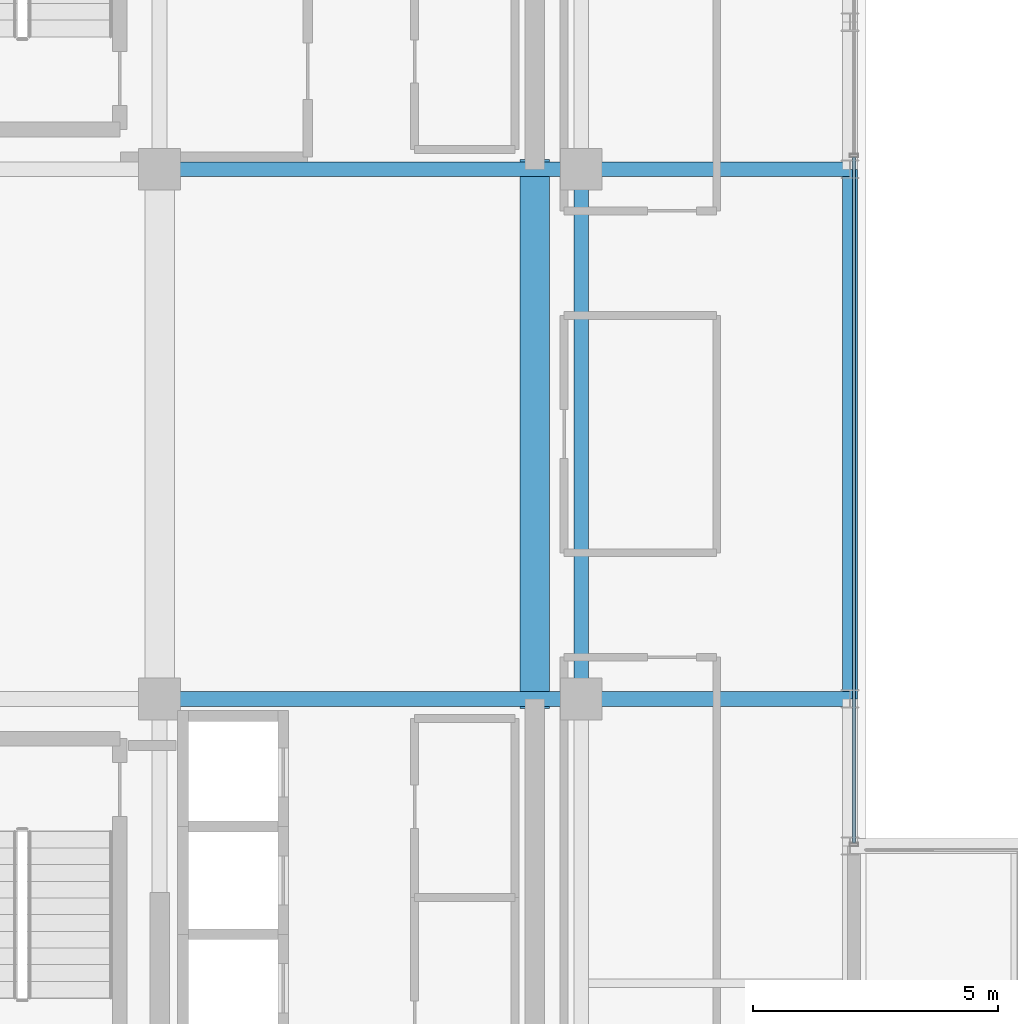
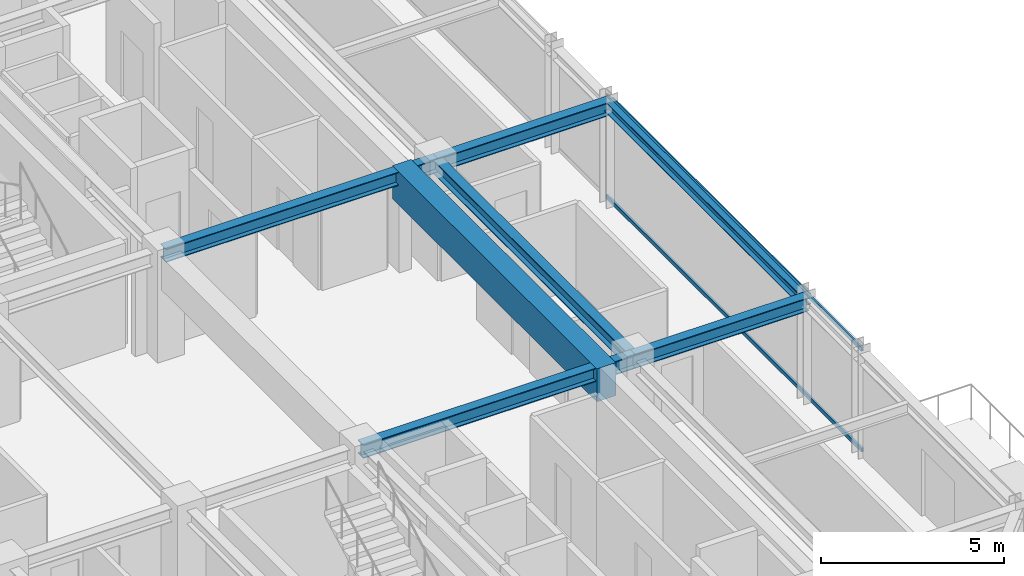
# One storey, part 14 of 31: 7 beams, 2 members, 1 element without a shape of its own.
"""IFC4 building model written with IfcOpenShell, lengths in metres."""

import ifcopenshell
import ifcopenshell.guid

model = None  # the IFC model being written
_history = None  # IfcOwnerHistory: only IFC2X3 demands one
_inside = {}  # id of a spatial element -> (the spatial element, [elements in it])
_under = {}  # id of a project, library or spatial element -> (it, [spatial elements below it])
_declared = {}  # id of a project -> (the project, [libraries it declares])
_typed = {}  # id of a type object -> (the type object, [elements of that type])
_made_of = {}  # id of a material, layer set ... -> (it, [elements and type objects made of it])


def new_model(schema):
    """Start an empty IFC model of exactly this schema.

    Asked for "IFC4X3", IfcOpenShell would pick the latest addendum, in which some entities
    have other attributes; the version numbers below select the first issue.
    IFC2X3 requires an IfcOwnerHistory on every rooted entity: one is made here for all.
    """
    global model, _history
    if schema == "IFC4X3":
        model = ifcopenshell.file(schema_version=(4, 3, 0, 0))
    else:
        model = ifcopenshell.file(schema=schema)
    _inside.clear()
    _under.clear()
    _declared.clear()
    _typed.clear()
    _made_of.clear()
    _history = None
    if model.schema == "IFC2X3":
        org = make("IfcOrganization", Name="unknown")
        user = make(
            "IfcPersonAndOrganization",
            ThePerson=make("IfcPerson", FamilyName="unknown"),
            TheOrganization=org,
        )
        app = make(
            "IfcApplication",
            ApplicationDeveloper=org,
            Version="unknown",
            ApplicationFullName="unknown",
            ApplicationIdentifier="unknown",
        )
        _history = make(
            "IfcOwnerHistory",
            OwningUser=user,
            OwningApplication=app,
            ChangeAction="ADDED",
            CreationDate=0,
        )
    return model


def make(cls, **values):
    """One entity of the class cls with the attributes given. An attribute that is None is left unset."""
    return model.create_entity(
        cls, **{name: value for name, value in values.items() if value is not None}
    )


def rooted(cls, **values):
    """An entity with a GlobalId (a new one), such as an element, a storey or a relation."""
    return make(cls, GlobalId=ifcopenshell.guid.new(), OwnerHistory=_history, **values)


def si_unit(unit_type, name, prefix=None):
    """IfcSIUnit, for example si_unit("LENGTHUNIT", "METRE", prefix="MILLI")."""
    return make("IfcSIUnit", UnitType=unit_type, Prefix=prefix, Name=name)


def assignment(units):
    """IfcUnitAssignment: the units of a project."""
    return None if units is None else make("IfcUnitAssignment", Units=units)


def point(xyz):
    """IfcCartesianPoint."""
    return None if xyz is None else make("IfcCartesianPoint", Coordinates=xyz)


def direction(xyz):
    """IfcDirection."""
    return None if xyz is None else make("IfcDirection", DirectionRatios=xyz)


def frame(location, z_axis=None, x_axis=None):
    """IfcAxis2Placement3D, a coordinate frame: its origin and axes. An axis left out is left unset."""
    return make(
        "IfcAxis2Placement3D",
        Location=point(location),
        Axis=direction(z_axis),
        RefDirection=direction(x_axis),
    )


def frame_2d(location, x_axis=None):
    """IfcAxis2Placement2D, a coordinate frame in the plane: its origin and x axis."""
    return make(
        "IfcAxis2Placement2D", Location=point(location), RefDirection=direction(x_axis)
    )


def origin():
    """The frame at (0, 0, 0) with its axes left unset."""
    return frame((0.0, 0.0, 0.0))


def origin_2d():
    """The frame at (0, 0) in the plane with its x axis left unset."""
    return frame_2d((0.0, 0.0))


def place(relative_to, where):
    """IfcLocalPlacement: puts the frame where relative to a parent placement (None: the world)."""
    return make(
        "IfcLocalPlacement", PlacementRelTo=relative_to, RelativePlacement=where
    )


def context(
    kind, dimensions, precision=None, world=None, true_north=None, identifier=None
):
    """IfcGeometricRepresentationContext, for example the 3D "Model" context."""
    return make(
        "IfcGeometricRepresentationContext",
        ContextIdentifier=identifier,
        ContextType=kind,
        CoordinateSpaceDimension=dimensions,
        Precision=precision,
        WorldCoordinateSystem=world,
        TrueNorth=true_north,
    )


def subcontext(parent, identifier, kind, view, scale=None):
    """IfcGeometricRepresentationSubContext, for example "Body" below "Model"."""
    return make(
        "IfcGeometricRepresentationSubContext",
        ContextIdentifier=identifier,
        ContextType=kind,
        ParentContext=parent,
        TargetScale=scale,
        TargetView=view,
    )


def project(units=None, contexts=None):
    """IfcProject with its units and contexts."""
    return rooted(
        "IfcProject",
        Name="project",
        RepresentationContexts=contexts,
        UnitsInContext=assignment(units),
    )


def spatial(cls, under=None, at=None, **own):
    """A site, building, storey or space (cls), placed at a placement, below another one or the project."""
    s = rooted(cls, ObjectPlacement=at, **own)
    if under is not None:
        _under.setdefault(under.id(), (under, []))[1].append(s)
    return s


def profile(cls, at=None, kind="AREA", **sizes):
    """A parametric profile (cls). Its sizes go by their IFC names, for example OverallWidth=200.0."""
    return make(cls, ProfileType=kind, Position=at, **sizes)


def rectangle(**sizes):
    """IfcRectangleProfileDef."""
    return profile("IfcRectangleProfileDef", **sizes)


def hollow_rectangle(**sizes):
    """IfcRectangleHollowProfileDef."""
    return profile("IfcRectangleHollowProfileDef", **sizes)


def i_section(**sizes):
    """IfcIShapeProfileDef."""
    return profile("IfcIShapeProfileDef", **sizes)


def extrude(swept, where, along, depth):
    """IfcExtrudedAreaSolid: the profile swept, set in the frame where, extruded along a direction by depth."""
    return make(
        "IfcExtrudedAreaSolid",
        SweptArea=swept,
        Position=where,
        ExtrudedDirection=direction(along),
        Depth=depth,
    )


def shape(context_of_items, identifier, shape_type, items):
    """IfcShapeRepresentation: the items that make up one representation, for example the "Body"."""
    return make(
        "IfcShapeRepresentation",
        ContextOfItems=context_of_items,
        RepresentationIdentifier=identifier,
        RepresentationType=shape_type,
        Items=items,
    )


def source(mapping_origin, context_of_items, identifier, shape_type, items):
    """IfcRepresentationMap: a shape defined once, which mapped items show again and again."""
    return make(
        "IfcRepresentationMap",
        MappingOrigin=mapping_origin,
        MappedRepresentation=shape(context_of_items, identifier, shape_type, items),
    )


def transform(
    local_origin,
    x_axis=None,
    y_axis=None,
    z_axis=None,
    scale=None,
    scale2=None,
    scale3=None,
    uniform=True,
):
    """IfcCartesianTransformationOperator3D, or its non-uniform kind. x_axis, y_axis, z_axis: its Axis1, 2, 3."""
    if uniform:
        return make(
            "IfcCartesianTransformationOperator3D",
            Axis1=direction(x_axis),
            Axis2=direction(y_axis),
            LocalOrigin=point(local_origin),
            Scale=scale,
            Axis3=direction(z_axis),
        )
    return make(
        "IfcCartesianTransformationOperator3DnonUniform",
        Axis1=direction(x_axis),
        Axis2=direction(y_axis),
        LocalOrigin=point(local_origin),
        Scale=scale,
        Axis3=direction(z_axis),
        Scale2=scale2,
        Scale3=scale3,
    )


def mapped(mapping_source, mapping_target):
    """IfcMappedItem: shows the shape of a source again, moved by a transform."""
    return make(
        "IfcMappedItem", MappingSource=mapping_source, MappingTarget=mapping_target
    )


def material(Name=None, Category=None):
    """IfcMaterial."""
    return make("IfcMaterial", Name=Name, Category=Category)


def material_profile(
    of_material, cross_section, Name=None, Category=None, Priority=None
):
    """IfcMaterialProfile: a cross section and its material."""
    return make(
        "IfcMaterialProfile",
        Name=Name,
        Material=of_material,
        Profile=cross_section,
        Priority=Priority,
        Category=Category,
    )


def profile_set(profiles, Name=None, composite=None):
    """IfcMaterialProfileSet."""
    return make(
        "IfcMaterialProfileSet",
        Name=Name,
        MaterialProfiles=profiles,
        CompositeProfile=composite,
    )


def made_of(thing, what):
    """Note that an element or type object is made of a material, layer set ...; save() writes the relation."""
    if what is not None:
        _made_of.setdefault(what.id(), (what, []))[1].append(thing)
    return thing


def type_object(cls, material=None, **own):
    """A type object (cls), such as IfcWallType, which elements share."""
    return made_of(rooted(cls, **own), material)


def element(
    cls,
    number,
    at=None,
    inside=None,
    cuts=None,
    type_object=None,
    material=None,
    context=None,
    identifier="Body",
    shape_type=None,
    held_by="IfcProductDefinitionShape",
    body=None,
    shapes=None,
    **own,
):
    """One element of the class cls, such as IfcWall. Its Tag is "e" and its number.

    at: its placement. inside: the storey or other place that contains it. cuts: it is an
    opening in that element (IfcRelVoidsElement). A single representation is given by context,
    identifier, shape_type and body (its items); several are given by shapes. held_by: the class
    of the entity that holds the representations. save() writes the other relations.
    """
    e = rooted(cls, Tag="e%d" % number, ObjectPlacement=at, **own)
    if body is not None:
        shapes = [shape(context, identifier, shape_type, body)]
    if shapes is not None:
        e.Representation = make(held_by, Representations=shapes)
    if inside is not None:
        _inside.setdefault(inside.id(), (inside, []))[1].append(e)
    if cuts is not None:
        rooted(
            "IfcRelVoidsElement", RelatingBuildingElement=cuts, RelatedOpeningElement=e
        )
    if type_object is not None:
        _typed.setdefault(type_object.id(), (type_object, []))[1].append(e)
    return made_of(e, material)


def aggregate(whole, parts):
    """IfcRelAggregates: a whole, such as a stair, and the parts it consists of."""
    return rooted("IfcRelAggregates", RelatingObject=whole, RelatedObjects=parts)


def save(model, path):
    """Write the relations noted so far, then the file.

    IfcRelAggregates (storeys below a building ...), IfcRelContainedInSpatialStructure (elements
    in a storey), IfcRelDefinesByType, IfcRelAssociatesMaterial and IfcRelDeclares: one each for
    every whole, place, type object, material and project.
    """
    for whole, parts in _under.values():
        aggregate(whole, parts)
    for where, things in _inside.values():
        rooted(
            "IfcRelContainedInSpatialStructure",
            RelatedElements=things,
            RelatingStructure=where,
        )
    for kind, things in _typed.values():
        rooted("IfcRelDefinesByType", RelatedObjects=things, RelatingType=kind)
    for what, things in _made_of.values():
        rooted("IfcRelAssociatesMaterial", RelatedObjects=things, RelatingMaterial=what)
    for by, libraries in _declared.values():
        rooted("IfcRelDeclares", RelatingContext=by, RelatedDefinitions=libraries)
    model.write(path)


model = new_model("IFC4")

# Units and contexts
model_context = context("Model", 3, precision=1e-05, world=origin(), true_north=direction((0.0, 1.0)))
body_context = subcontext(model_context, "Body", "Model", "MODEL_VIEW")
ifc_project = project(units=[si_unit("LENGTHUNIT", "METRE"), si_unit("AREAUNIT", "SQUARE_METRE"), si_unit("VOLUMEUNIT", "CUBIC_METRE"), si_unit("PLANEANGLEUNIT", "RADIAN"), si_unit("MASSUNIT", "GRAM", prefix="KILO")], contexts=[model_context])

# Site, building, storey
site_placement = place(None, origin())
site = spatial("IfcSite", under=ifc_project, at=site_placement, CompositionType="ELEMENT")
building_placement = place(site_placement, origin())
building = spatial("IfcBuilding", under=site, at=building_placement, Name="Nahalor Promenade Grand Hotel", CompositionType="ELEMENT")
storey_placement = place(building_placement, frame((0.0, 0.0, 327.14990234375)))
storey = spatial("IfcBuildingStorey", under=building, at=storey_placement, Name="L84", CompositionType="ELEMENT", Elevation=327.14990234375)

# Beams
ifc_material_1 = material(Name="Concrete B-60 (C50/60)", Category="concrete")
ifc_material_profile_1 = material_profile(ifc_material_1, rectangle(XDim=0.6, YDim=1.1, at=origin_2d()), Name="RC 600x1100")
ifc_profile_set_1 = profile_set([ifc_material_profile_1], Name="Concrete B-60 (C50/60)")
beam_type_1 = type_object("IfcBeamType", Name="Beam-Lintel-RC1100", PredefinedType="LINTEL", material=ifc_profile_set_1)
shared_shape_1 = source(origin(), body_context, "Body", "SweptSolid", [
    extrude(rectangle(XDim=0.6, YDim=1.1, at=origin_2d()), origin(), (0.0, 0.0, 1.0), 11.2001953125),
])
beam_1_placement = place(storey_placement, frame((16.050048828125, -5.60009765625, 2.9501953125), z_axis=(0.0, 1.0, 0.0), x_axis=(-1.0, 0.0, 0.0)))
element("IfcBeam", 1, at=beam_1_placement, inside=storey, type_object=beam_type_1, Name="BM-L84-LINT-E", PredefinedType="LINTEL", context=body_context, shape_type="MappedRepresentation", body=[
    mapped(shared_shape_1, transform((0.0, 0.0, 0.0), scale=1.0)),
])
ifc_material_2 = material(Name="Steel S355JR", Category="steel")
ifc_material_profile_2 = material_profile(ifc_material_2, i_section(OverallWidth=0.3, OverallDepth=0.45, WebThickness=0.014, FlangeThickness=0.026, at=origin_2d()), Name="HEB 450")
ifc_profile_set_2 = profile_set([ifc_material_profile_2], Name="Steel S355JR")
beam_type_2 = type_object("IfcBeamType", Name="Beam-Girder-HEB450", PredefinedType="BEAM", material=ifc_profile_set_2)
shared_shape_2 = source(origin(), body_context, "Body", "SweptSolid", [
    extrude(i_section(OverallWidth=0.3, OverallDepth=0.45, WebThickness=0.014, FlangeThickness=0.026, at=origin_2d()), origin(), (0.0, 0.0, 1.0), 8.60009765625),
])
for number, where, z_axis, x_axis, name in (
    (2, (8.39990234375, -5.39990234375, 3.275146484375), (1.0, 0.0, 0.0), (0.0, 1.0, 0.0), "BM-L84-GX-1-5"),
    (3, (8.39990234375, 5.39990234375, 3.275146484375), (1.0, 0.0, 0.0), (0.0, 1.0, 0.0), "BM-L84-GX-2-5"),
):
    element("IfcBeam", number, at=place(storey_placement, frame(where, z_axis=z_axis, x_axis=x_axis)), inside=storey, type_object=beam_type_2, Name=name, PredefinedType="BEAM", context=body_context, shape_type="MappedRepresentation", body=[
        mapped(shared_shape_2, transform((0.0, 0.0, 0.0), scale=1.0)),
    ])
shared_shape_3 = source(origin(), body_context, "Body", "SweptSolid", [
    extrude(i_section(OverallWidth=0.3, OverallDepth=0.45, WebThickness=0.014, FlangeThickness=0.026, at=origin_2d()), origin(), (0.0, 0.0, 1.0), 10.7998046875),
])
beam_2_placement = place(storey_placement, frame((17.0, -5.39990234375, 3.275146484375), z_axis=(0.0, 1.0, 0.0), x_axis=(-1.0, 0.0, 0.0)))
element("IfcBeam", 4, at=beam_2_placement, inside=storey, type_object=beam_type_2, Name="BM-L84-GY-5-2", PredefinedType="BEAM", context=body_context, shape_type="MappedRepresentation", body=[
    mapped(shared_shape_3, transform((0.0, 0.0, 0.0), scale=1.0)),
])
shared_shape_4 = source(origin(), body_context, "Body", "SweptSolid", [
    extrude(i_section(OverallWidth=0.3, OverallDepth=0.45, WebThickness=0.014, FlangeThickness=0.026, at=origin_2d()), origin(), (0.0, 0.0, 1.0), 5.47998046875),
])
for number, where, z_axis, x_axis, name in (
    (5, (17.0, -5.39990234375, 3.275146484375), (1.0, 0.0, 0.0), (0.0, 1.0, 0.0), "BM-L84-GX-1-6"),
    (6, (17.0, 5.39990234375, 3.275146484375), (1.0, 0.0, 0.0), (0.0, 1.0, 0.0), "BM-L84-GX-2-6"),
):
    element("IfcBeam", number, at=place(storey_placement, frame(where, z_axis=z_axis, x_axis=x_axis)), inside=storey, type_object=beam_type_2, Name=name, PredefinedType="BEAM", context=body_context, shape_type="MappedRepresentation", body=[
        mapped(shared_shape_4, transform((0.0, 0.0, 0.0), scale=1.0)),
    ])
ifc_material_profile_3 = material_profile(ifc_material_2, i_section(OverallWidth=0.3, OverallDepth=0.36, WebThickness=0.0125, FlangeThickness=0.0225, at=origin_2d()), Name="HEB 360")
ifc_profile_set_3 = profile_set([ifc_material_profile_3], Name="Steel S355JR")
beam_type_3 = type_object("IfcBeamType", Name="Beam-Spandrel-HEB360", PredefinedType="SPANDREL", material=ifc_profile_set_3)
shared_shape_5 = source(origin(), body_context, "Body", "SweptSolid", [
    extrude(i_section(OverallWidth=0.3, OverallDepth=0.36, WebThickness=0.0125, FlangeThickness=0.0225, at=origin_2d()), origin(), (0.0, 0.0, 1.0), 10.7998046875),
])
beam_3_placement = place(storey_placement, frame((22.47998046875, -5.39990234375, 3.320068359375), z_axis=(0.0, 1.0, 0.0), x_axis=(-1.0, 0.0, 0.0)))
element("IfcBeam", 7, at=beam_3_placement, inside=storey, type_object=beam_type_3, Name="BM-L84-SP-E-2", PredefinedType="SPANDREL", context=body_context, shape_type="MappedRepresentation", body=[
    mapped(shared_shape_5, transform((0.0, 0.0, 0.0), scale=1.0)),
])

# Curtain wall, members
ifc_material_3 = material(Name="Anodised Bronze Aluminium EN AW-6063 T6", Category="aluminium")
curtain_wall_type = type_object("IfcCurtainWallType", Name="CW2 Typical Hotel Flush Bronze Unitised Curtain Wall", PredefinedType="USERDEFINED", material=ifc_material_3)
curtain_wall_placement = place(storey_placement, origin())
curtain_wall = element("IfcCurtainWall", 8, at=curtain_wall_placement, inside=storey, type_object=curtain_wall_type, Name="L84 Curtain Wall CW-L84-E-3", ObjectType="UNITISED_CURTAIN_WALL", PredefinedType="USERDEFINED")
ifc_material_profile_4 = material_profile(ifc_material_3, hollow_rectangle(XDim=0.065, YDim=0.13, WallThickness=0.004, at=origin_2d()), Name="CWT 65x130x4")
ifc_profile_set_4 = profile_set([ifc_material_profile_4], Name="Anodised Bronze Aluminium EN AW-6063 T6")
member_type = type_object("IfcMemberType", Name="CWT2 Typical Bronze Transom 65x130", PredefinedType="USERDEFINED", material=ifc_profile_set_4)
shared_shape_6 = source(origin(), body_context, "Body", "SweptSolid", [
    extrude(hollow_rectangle(XDim=0.065, YDim=0.13, WallThickness=0.004, at=origin_2d()), origin(), (0.0, 0.0, 1.0), 13.982421875),
])
member_1_placement = place(storey_placement, frame((22.56005859375, -8.3349609375, 0.065185546875), z_axis=(0.0, 1.0, 0.0), x_axis=(-1.0, 0.0, 0.0)))
member_1 = element("IfcMember", 9, at=member_1_placement, type_object=member_type, Name="CW-L84-E-3 Transom 0-0", ObjectType="TRANSOM", PredefinedType="USERDEFINED", context=body_context, shape_type="MappedRepresentation", body=[
    mapped(shared_shape_6, transform((0.0, 0.0, 0.0), scale=1.0)),
])
member_2_placement = place(storey_placement, frame((22.56005859375, -8.3349609375, 3.43505859375), z_axis=(0.0, 1.0, 0.0), x_axis=(-1.0, 0.0, 0.0)))
member_2 = element("IfcMember", 10, at=member_2_placement, type_object=member_type, Name="CW-L84-E-3 Transom 0-1", ObjectType="TRANSOM", PredefinedType="USERDEFINED", context=body_context, shape_type="MappedRepresentation", body=[
    mapped(shared_shape_6, transform((0.0, 0.0, 0.0), scale=1.0)),
])
aggregate(curtain_wall, [member_1, member_2])

save(model, "model.ifc")
